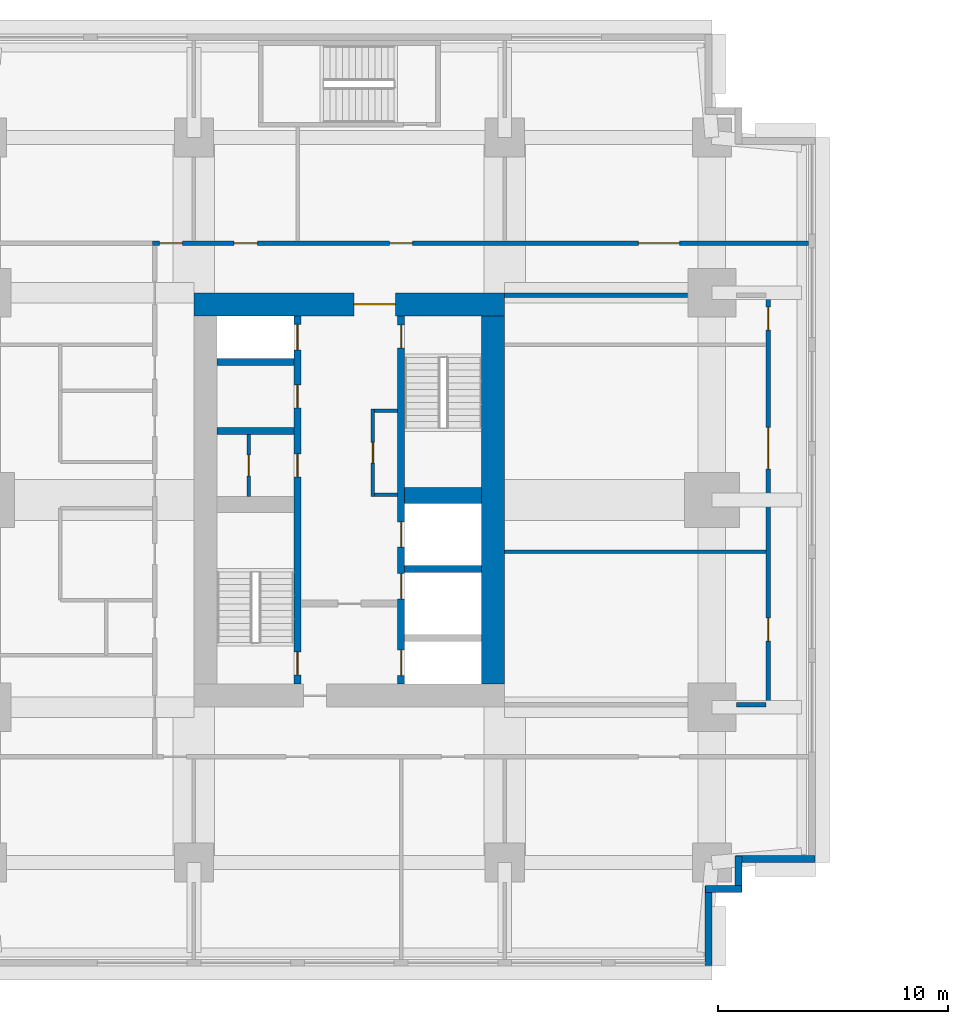
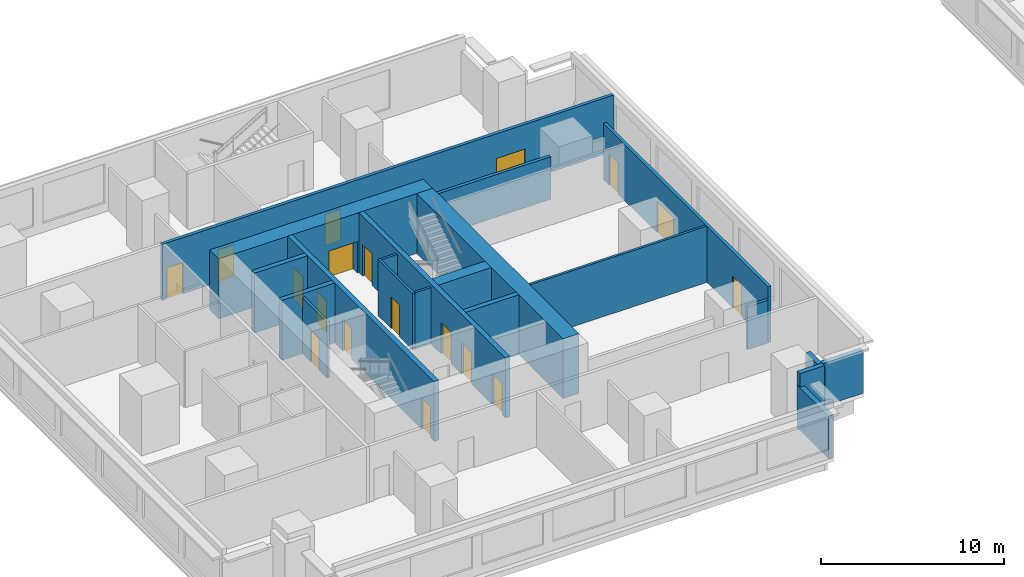
# One storey, part 4 of 10: 21 walls, 18 doors, 18 openings.
"""IFC4 building model written with IfcOpenShell, lengths in metres."""

from ifc_helpers import new_model, si_unit, direction, frame, frame_2d, origin, place, context, subcontext, project, spatial, rectangle, extrude, material, layer, layer_set, type_object, element, fill, save


model = new_model("IFC4")

# Units and contexts
model_context = context("Model", 3, precision=1e-05, world=origin(), true_north=direction((0.0, 1.0)))
body_context = subcontext(model_context, "Body", "Model", "MODEL_VIEW")
ifc_project = project(units=[si_unit("LENGTHUNIT", "METRE"), si_unit("AREAUNIT", "SQUARE_METRE"), si_unit("VOLUMEUNIT", "CUBIC_METRE"), si_unit("PLANEANGLEUNIT", "RADIAN"), si_unit("MASSUNIT", "GRAM", prefix="KILO")], contexts=[model_context])

# Site, building, storey
site_placement = place(None, origin())
site = spatial("IfcSite", under=ifc_project, at=site_placement, CompositionType="ELEMENT")
building_placement = place(site_placement, origin())
building = spatial("IfcBuilding", under=site, at=building_placement, Name="Namib Vertical Campus", CompositionType="ELEMENT")
storey_placement = place(building_placement, frame((0.0, 0.0, 145.0)))
storey = spatial("IfcBuildingStorey", under=building, at=storey_placement, Name="L34", CompositionType="ELEMENT", Elevation=145.0)

# Wall, openings, doors
ifc_material_1 = material(Name="Concrete C60/75", Category="concrete")
ifc_layer_1 = layer(ifc_material_1, 0.300048828125)
ifc_layer_set_1 = layer_set([ifc_layer_1], Name="Concrete C60/75")
wall_type_1 = type_object("IfcWallType", Name="Core inner wall 300", PredefinedType="SHEAR", material=ifc_layer_set_1)
wall_1_placement = place(storey_placement, frame((18.0, 12.25, 0.0), z_axis=(0.0, 0.0, 1.0), x_axis=(0.0, 1.0, 0.0)))
wall_1 = element("IfcWall", 1, at=wall_1_placement, inside=storey, type_object=wall_type_1, Name="Core inner wall A L34 W1", PredefinedType="SHEAR", context=body_context, shape_type="SweptSolid", body=[
    extrude(rectangle(XDim=16.0, YDim=0.300048828125, at=frame_2d((8.0, 0.0))), origin(), (0.0, 0.0, 1.0), 4.0),
])
opening_1_placement = place(wall_1_placement, frame((0.39990234375, 0.0, 0.0)))
opening_1 = element("IfcOpeningElement", 2, at=opening_1_placement, cuts=wall_1, Name="Opening FD1", PredefinedType="OPENING", context=body_context, shape_type="SweptSolid", body=[
    extrude(rectangle(XDim=1.0, YDim=2.10009765625, at=frame_2d((0.5, 1.050048828125))), frame((0.0, 0.159912109375, 0.0), z_axis=(0.0, -1.0, 0.0), x_axis=(1.0, 0.0, 0.0)), (0.0, 0.0, 1.0), 0.320068359375),
])
opening_2_placement = place(wall_1_placement, frame((14.52490234375, 0.0, 0.0)))
opening_2 = element("IfcOpeningElement", 3, at=opening_2_placement, cuts=wall_1, Name="Opening LD1", PredefinedType="OPENING", context=body_context, shape_type="SweptSolid", body=[
    extrude(rectangle(XDim=1.10009765625, YDim=2.10009765625, at=frame_2d((0.550048828125, 1.050048828125))), frame((0.0, 0.159912109375, 0.0), z_axis=(0.0, -1.0, 0.0), x_axis=(1.0, 0.0, 0.0)), (0.0, 0.0, 1.0), 0.320068359375),
])
opening_3_placement = place(wall_1_placement, frame((9.0, 0.0, 0.0)))
opening_3 = element("IfcOpeningElement", 4, at=opening_3_placement, cuts=wall_1, Name="Opening D1", PredefinedType="OPENING", context=body_context, shape_type="SweptSolid", body=[
    extrude(rectangle(XDim=1.0, YDim=2.10009765625, at=frame_2d((0.5, 1.050048828125))), frame((0.0, 0.159912109375, 0.0), z_axis=(0.0, -1.0, 0.0), x_axis=(1.0, 0.0, 0.0)), (0.0, 0.0, 1.0), 0.320068359375),
])
opening_4_placement = place(wall_1_placement, frame((12.0, 0.0, 0.0)))
opening_4 = element("IfcOpeningElement", 5, at=opening_4_placement, cuts=wall_1, Name="Opening D1", PredefinedType="OPENING", context=body_context, shape_type="SweptSolid", body=[
    extrude(rectangle(XDim=1.0, YDim=2.10009765625, at=frame_2d((0.5, 1.050048828125))), frame((0.0, 0.159912109375, 0.0), z_axis=(0.0, -1.0, 0.0), x_axis=(1.0, 0.0, 0.0)), (0.0, 0.0, 1.0), 0.320068359375),
])
ifc_material_2 = material(Name="Timber door leaf", Category="wood")
door_type_1 = type_object("IfcDoorType", Name="Door single 1000x2100", OperationType="SINGLE_SWING_LEFT", PredefinedType="DOOR", material=ifc_material_2)
door_1_placement = place(opening_3_placement, origin())
door_1 = element("IfcDoor", 6, at=door_1_placement, inside=storey, type_object=door_type_1, Name="Door D1 Records store A L34 P1", OperationType="SINGLE_SWING_LEFT", OverallHeight=2.10009765625, OverallWidth=1.0, PredefinedType="DOOR", context=body_context, shape_type="SweptSolid", body=[
    extrude(rectangle(XDim=1.0, YDim=2.10009765625, at=frame_2d((0.5, 1.050048828125))), frame((0.0, 0.02490234375, 0.0), z_axis=(0.0, -1.0, 0.0), x_axis=(1.0, 0.0, 0.0)), (0.0, 0.0, 1.0), 0.050048828125),
])
fill(opening_3, door_1)
door_2_placement = place(opening_4_placement, origin())
door_2 = element("IfcDoor", 7, at=door_2_placement, inside=storey, type_object=door_type_1, Name="Door D1 Staff pantry A L34 P2", OperationType="SINGLE_SWING_LEFT", OverallHeight=2.10009765625, OverallWidth=1.0, PredefinedType="DOOR", context=body_context, shape_type="SweptSolid", body=[
    extrude(rectangle(XDim=1.0, YDim=2.10009765625, at=frame_2d((0.5, 1.050048828125))), frame((0.0, 0.02490234375, 0.0), z_axis=(0.0, -1.0, 0.0), x_axis=(1.0, 0.0, 0.0)), (0.0, 0.0, 1.0), 0.050048828125),
])
fill(opening_4, door_2)
ifc_material_3 = material(Name="Steel fire door", Category="steel")
door_type_2 = type_object("IfcDoorType", Name="Fire door 1000x2100", OperationType="SINGLE_SWING_RIGHT", PredefinedType="DOOR", material=ifc_material_3)
door_3_placement = place(opening_1_placement, origin())
door_3 = element("IfcDoor", 8, at=door_3_placement, inside=storey, type_object=door_type_2, Name="Stair door FD1 A L34 S1", OperationType="SINGLE_SWING_LEFT", OverallHeight=2.10009765625, OverallWidth=1.0, PredefinedType="DOOR", context=body_context, shape_type="SweptSolid", body=[
    extrude(rectangle(XDim=1.0, YDim=2.10009765625, at=frame_2d((0.5, 1.050048828125))), frame((0.0, 0.02490234375, 0.0), z_axis=(0.0, -1.0, 0.0), x_axis=(1.0, 0.0, 0.0)), (0.0, 0.0, 1.0), 0.050048828125),
])
fill(opening_1, door_3)
ifc_material_4 = material(Name="Stainless steel lift door", Category="steel")
door_type_3 = type_object("IfcDoorType", Name="Lift landing door 1100x2100", OperationType="DOUBLE_DOOR_SLIDING", PredefinedType="DOOR", material=ifc_material_4)
door_4_placement = place(opening_2_placement, origin())
door_4 = element("IfcDoor", 9, at=door_4_placement, inside=storey, type_object=door_type_3, Name="Lift landing door LD1 A-P3 L34", OperationType="DOUBLE_DOOR_SLIDING", OverallHeight=2.10009765625, OverallWidth=1.10009765625, PredefinedType="DOOR", context=body_context, shape_type="SweptSolid", body=[
    extrude(rectangle(XDim=1.10009765625, YDim=2.10009765625, at=frame_2d((0.550048828125, 1.050048828125))), frame((0.0, 0.02490234375, 0.0), z_axis=(0.0, -1.0, 0.0), x_axis=(1.0, 0.0, 0.0)), (0.0, 0.0, 1.0), 0.050048828125),
])
fill(opening_2, door_4)

wall_2_placement = place(storey_placement, frame((22.5, 12.25, 0.0), z_axis=(0.0, 0.0, 1.0), x_axis=(0.0, 1.0, 0.0)))
wall_2 = element("IfcWall", 10, at=wall_2_placement, inside=storey, type_object=wall_type_1, Name="Core inner wall A L34 W2", PredefinedType="SHEAR", context=body_context, shape_type="SweptSolid", body=[
    extrude(rectangle(XDim=16.0, YDim=0.300048828125, at=frame_2d((8.0, 0.0))), origin(), (0.0, 0.0, 1.0), 4.0),
])
opening_5_placement = place(wall_2_placement, frame((14.60009765625, 0.0, 0.0)))
opening_5 = element("IfcOpeningElement", 11, at=opening_5_placement, cuts=wall_2, Name="Opening FD1", PredefinedType="OPENING", context=body_context, shape_type="SweptSolid", body=[
    extrude(rectangle(XDim=1.0, YDim=2.10009765625, at=frame_2d((0.5, 1.050048828125))), frame((0.0, 0.159912109375, 0.0), z_axis=(0.0, -1.0, 0.0), x_axis=(1.0, 0.0, 0.0)), (0.0, 0.0, 1.0), 0.320068359375),
])
opening_6_placement = place(wall_2_placement, frame((0.375, 0.0, 0.0)))
opening_6 = element("IfcOpeningElement", 12, at=opening_6_placement, cuts=wall_2, Name="Opening LD1", PredefinedType="OPENING", context=body_context, shape_type="SweptSolid", body=[
    extrude(rectangle(XDim=1.10009765625, YDim=2.10009765625, at=frame_2d((0.550048828125, 1.050048828125))), frame((0.0, 0.159912109375, 0.0), z_axis=(0.0, -1.0, 0.0), x_axis=(1.0, 0.0, 0.0)), (0.0, 0.0, 1.0), 0.320068359375),
])
opening_7_placement = place(wall_2_placement, frame((3.699951171875, 0.0, 0.0)))
opening_7 = element("IfcOpeningElement", 13, at=opening_7_placement, cuts=wall_2, Name="Opening LD1", PredefinedType="OPENING", context=body_context, shape_type="SweptSolid", body=[
    extrude(rectangle(XDim=1.10009765625, YDim=2.10009765625, at=frame_2d((0.550048828125, 1.050048828125))), frame((0.0, 0.159912109375, 0.0), z_axis=(0.0, -1.0, 0.0), x_axis=(1.0, 0.0, 0.0)), (0.0, 0.0, 1.0), 0.320068359375),
])
opening_8_placement = place(wall_2_placement, frame((5.949951171875, 0.0, 0.0)))
opening_8 = element("IfcOpeningElement", 14, at=opening_8_placement, cuts=wall_2, Name="Opening LD1", PredefinedType="OPENING", context=body_context, shape_type="SweptSolid", body=[
    extrude(rectangle(XDim=1.10009765625, YDim=2.10009765625, at=frame_2d((0.550048828125, 1.050048828125))), frame((0.0, 0.159912109375, 0.0), z_axis=(0.0, -1.0, 0.0), x_axis=(1.0, 0.0, 0.0)), (0.0, 0.0, 1.0), 0.320068359375),
])
door_5_placement = place(opening_5_placement, frame((1.0, 0.0, 0.0), z_axis=(0.0, 0.0, 1.0), x_axis=(-1.0, 0.0, 0.0)))
door_5 = element("IfcDoor", 15, at=door_5_placement, inside=storey, type_object=door_type_2, Name="Stair door FD1 A L34 S2", OperationType="SINGLE_SWING_LEFT", OverallHeight=2.10009765625, OverallWidth=1.0, PredefinedType="DOOR", context=body_context, shape_type="SweptSolid", body=[
    extrude(rectangle(XDim=1.0, YDim=2.10009765625, at=frame_2d((0.5, 1.050048828125))), frame((0.0, 0.02490234375, 0.0), z_axis=(0.0, -1.0, 0.0), x_axis=(1.0, 0.0, 0.0)), (0.0, 0.0, 1.0), 0.050048828125),
])
fill(opening_5, door_5)
door_6_placement = place(opening_6_placement, origin())
door_6 = element("IfcDoor", 16, at=door_6_placement, inside=storey, type_object=door_type_3, Name="Lift landing door LD1 A-FL1 L34", OperationType="DOUBLE_DOOR_SLIDING", OverallHeight=2.10009765625, OverallWidth=1.10009765625, PredefinedType="DOOR", context=body_context, shape_type="SweptSolid", body=[
    extrude(rectangle(XDim=1.10009765625, YDim=2.10009765625, at=frame_2d((0.550048828125, 1.050048828125))), frame((0.0, 0.02490234375, 0.0), z_axis=(0.0, -1.0, 0.0), x_axis=(1.0, 0.0, 0.0)), (0.0, 0.0, 1.0), 0.050048828125),
])
fill(opening_6, door_6)
door_7_placement = place(opening_7_placement, origin())
door_7 = element("IfcDoor", 17, at=door_7_placement, inside=storey, type_object=door_type_3, Name="Lift landing door LD1 A-P4 L34", OperationType="DOUBLE_DOOR_SLIDING", OverallHeight=2.10009765625, OverallWidth=1.10009765625, PredefinedType="DOOR", context=body_context, shape_type="SweptSolid", body=[
    extrude(rectangle(XDim=1.10009765625, YDim=2.10009765625, at=frame_2d((0.550048828125, 1.050048828125))), frame((0.0, 0.02490234375, 0.0), z_axis=(0.0, -1.0, 0.0), x_axis=(1.0, 0.0, 0.0)), (0.0, 0.0, 1.0), 0.050048828125),
])
fill(opening_7, door_7)
door_8_placement = place(opening_8_placement, origin())
door_8 = element("IfcDoor", 18, at=door_8_placement, inside=storey, type_object=door_type_3, Name="Lift landing door LD1 A-P5 L34", OperationType="DOUBLE_DOOR_SLIDING", OverallHeight=2.10009765625, OverallWidth=1.10009765625, PredefinedType="DOOR", context=body_context, shape_type="SweptSolid", body=[
    extrude(rectangle(XDim=1.10009765625, YDim=2.10009765625, at=frame_2d((0.550048828125, 1.050048828125))), frame((0.0, 0.02490234375, 0.0), z_axis=(0.0, -1.0, 0.0), x_axis=(1.0, 0.0, 0.0)), (0.0, 0.0, 1.0), 0.050048828125),
])
fill(opening_8, door_8)

# Walls
for number, where, z_axis, x_axis, name in (
    (19, (22.64990234375, 17.25, 0.0), (0.0, 0.0, 1.0), (1.0, 0.0, 0.0), "Core inner wall A L34 W6"),
    (20, (14.5, 23.25, 0.0), (0.0, 0.0, 1.0), (1.0, 0.0, 0.0), "Core inner wall A L34 W8"),
    (21, (14.5, 26.25, 0.0), (0.0, 0.0, 1.0), (1.0, 0.0, 0.0), "Core inner wall A L34 W9"),
):
    element("IfcWall", number, at=place(storey_placement, frame(where, z_axis=z_axis, x_axis=x_axis)), inside=storey, type_object=wall_type_1, Name=name, PredefinedType="SHEAR", context=body_context, shape_type="SweptSolid", body=[
        extrude(rectangle(XDim=3.35009765625, YDim=0.300048828125, at=frame_2d((1.675048828125, 0.0))), origin(), (0.0, 0.0, 1.0), 4.0),
    ])
ifc_material_5 = material(Name="Concrete C60/75", Category="concrete")
ifc_layer_2 = layer(ifc_material_5, 0.699951171875)
ifc_layer_set_2 = layer_set([ifc_layer_2], Name="Concrete C60/75")
wall_type_2 = type_object("IfcWallType", Name="Core shear wall 700", PredefinedType="SHEAR", material=ifc_layer_set_2)
wall_3_placement = place(storey_placement, frame((22.64990234375, 20.449951171875, 0.0), z_axis=(0.0, 0.0, 1.0), x_axis=(1.0, 0.0, 0.0)))
element("IfcWall", 22, at=wall_3_placement, inside=storey, type_object=wall_type_2, Name="Core shear wall A L34 W7", PredefinedType="SHEAR", context=body_context, shape_type="SweptSolid", body=[
    extrude(rectangle(XDim=3.35009765625, YDim=0.699951171875, at=frame_2d((1.675048828125, 0.0))), origin(), (0.0, 0.0, 1.0), 4.0),
])
ifc_material_6 = material(Name="Concrete C60/75", Category="concrete")
ifc_layer_3 = layer(ifc_material_6, 1.0)
ifc_layer_set_3 = layer_set([ifc_layer_3], Name="Concrete C60/75")
wall_type_3 = type_object("IfcWallType", Name="Core wall 1000", PredefinedType="SHEAR", material=ifc_layer_set_3)
wall_4_placement = place(storey_placement, frame((26.5, 12.25, 0.0), z_axis=(0.0, 0.0, 1.0), x_axis=(0.0, 1.0, 0.0)))
element("IfcWall", 23, at=wall_4_placement, inside=storey, type_object=wall_type_3, Name="Core wall A L34 2", PredefinedType="SHEAR", context=body_context, shape_type="SweptSolid", body=[
    extrude(rectangle(XDim=16.0, YDim=1.0, at=frame_2d((8.0, 0.0))), origin(), (0.0, 0.0, 1.0), 4.0),
])

# Wall, opening, door
wall_5_placement = place(storey_placement, frame((27.0, 28.75, 0.0), z_axis=(0.0, 0.0, 1.0), x_axis=(-1.0, 0.0, 0.0)))
wall_5 = element("IfcWall", 24, at=wall_5_placement, inside=storey, type_object=wall_type_3, Name="Core wall A L34 3", PredefinedType="SHEAR", context=body_context, shape_type="SweptSolid", body=[
    extrude(rectangle(XDim=13.5, YDim=1.0, at=frame_2d((6.75, 0.0))), origin(), (0.0, 0.0, 1.0), 4.0),
])
opening_9_placement = place(wall_5_placement, frame((4.75, 0.0, 0.0)))
opening_9 = element("IfcOpeningElement", 25, at=opening_9_placement, cuts=wall_5, Name="Opening FD2", PredefinedType="OPENING", context=body_context, shape_type="SweptSolid", body=[
    extrude(rectangle(XDim=1.800048828125, YDim=2.10009765625, at=frame_2d((0.89990234375, 1.050048828125))), frame((0.0, 0.510009765625, 0.0), z_axis=(0.0, -1.0, 0.0), x_axis=(1.0, 0.0, 0.0)), (0.0, 0.0, 1.0), 1.02001953125),
])
ifc_material_7 = material(Name="Steel fire door", Category="steel")
door_type_4 = type_object("IfcDoorType", Name="Fire door double 1800x2100", OperationType="DOUBLE_DOOR_SINGLE_SWING", PredefinedType="DOOR", material=ifc_material_7)
door_9_placement = place(opening_9_placement, origin())
door_9 = element("IfcDoor", 26, at=door_9_placement, inside=storey, type_object=door_type_4, Name="Lift lobby door FD2 A L34", OperationType="DOUBLE_DOOR_SINGLE_SWING", OverallHeight=2.10009765625, OverallWidth=1.800048828125, PredefinedType="DOOR", context=body_context, shape_type="SweptSolid", body=[
    extrude(rectangle(XDim=1.800048828125, YDim=2.10009765625, at=frame_2d((0.89990234375, 1.050048828125))), frame((0.0, 0.02490234375, 0.0), z_axis=(0.0, -1.0, 0.0), x_axis=(1.0, 0.0, 0.0)), (0.0, 0.0, 1.0), 0.050048828125),
])
fill(opening_9, door_9)

# Wall, openings, doors
ifc_material_8 = material(Name="Concrete masonry", Category="masonry")
ifc_layer_4 = layer(ifc_material_8, 0.199951171875)
ifc_layer_set_4 = layer_set([ifc_layer_4], Name="Corridor wall 200")
wall_type_4 = type_object("IfcWallType", Name="Corridor wall 200", PredefinedType="SOLIDWALL", material=ifc_layer_set_4)
wall_6_placement = place(storey_placement, frame((40.199951171875, 31.39990234375, 0.0), z_axis=(0.0, 0.0, 1.0), x_axis=(-1.0, 0.0, 0.0)))
wall_6 = element("IfcWall", 27, at=wall_6_placement, inside=storey, type_object=wall_type_4, Name="Corridor wall A L34 CN", PredefinedType="SOLIDWALL", context=body_context, shape_type="SweptSolid", body=[
    extrude(rectangle(XDim=28.5, YDim=0.199951171875, at=frame_2d((14.25, 0.0))), origin(), (0.0, 0.0, 1.0), 3.75),
])
opening_10_placement = place(wall_6_placement, frame((27.199951171875, 0.0, 0.0)))
opening_10 = element("IfcOpeningElement", 28, at=opening_10_placement, cuts=wall_6, Name="Opening CD1", PredefinedType="OPENING", context=body_context, shape_type="SweptSolid", body=[
    extrude(rectangle(XDim=1.0, YDim=2.10009765625, at=frame_2d((0.5, 1.050048828125))), frame((0.0, 0.10986328125, 0.0), z_axis=(0.0, -1.0, 0.0), x_axis=(1.0, 0.0, 0.0)), (0.0, 0.0, 1.0), 0.219970703125),
])
opening_11_placement = place(wall_6_placement, frame((23.949951171875, 0.0, 0.0)))
opening_11 = element("IfcOpeningElement", 29, at=opening_11_placement, cuts=wall_6, Name="Opening CD1", PredefinedType="OPENING", context=body_context, shape_type="SweptSolid", body=[
    extrude(rectangle(XDim=1.0, YDim=2.10009765625, at=frame_2d((0.5, 1.050048828125))), frame((0.0, 0.10986328125, 0.0), z_axis=(0.0, -1.0, 0.0), x_axis=(1.0, 0.0, 0.0)), (0.0, 0.0, 1.0), 0.219970703125),
])
opening_12_placement = place(wall_6_placement, frame((17.199951171875, 0.0, 0.0)))
opening_12 = element("IfcOpeningElement", 30, at=opening_12_placement, cuts=wall_6, Name="Opening CD4", PredefinedType="OPENING", context=body_context, shape_type="SweptSolid", body=[
    extrude(rectangle(XDim=1.0, YDim=2.10009765625, at=frame_2d((0.5, 1.050048828125))), frame((0.0, 0.10986328125, 0.0), z_axis=(0.0, -1.0, 0.0), x_axis=(1.0, 0.0, 0.0)), (0.0, 0.0, 1.0), 0.219970703125),
])
opening_13_placement = place(wall_6_placement, frame((5.60009765625, 0.0, 0.0)))
opening_13 = element("IfcOpeningElement", 31, at=opening_13_placement, cuts=wall_6, Name="Opening CD2", PredefinedType="OPENING", context=body_context, shape_type="SweptSolid", body=[
    extrude(rectangle(XDim=1.800048828125, YDim=2.10009765625, at=frame_2d((0.89990234375, 1.050048828125))), frame((0.0, 0.10986328125, 0.0), z_axis=(0.0, -1.0, 0.0), x_axis=(1.0, 0.0, 0.0)), (0.0, 0.0, 1.0), 0.219970703125),
])
ifc_material_9 = material(Name="Timber fire door leaf", Category="wood")
door_type_5 = type_object("IfcDoorType", Name="Corridor door 1000x2100 20 min", OperationType="SINGLE_SWING_LEFT", PredefinedType="DOOR", material=ifc_material_9)
door_10_placement = place(opening_10_placement, frame((1.0, 0.0, 0.0), z_axis=(0.0, 0.0, 1.0), x_axis=(-1.0, 0.0, 0.0)))
door_10 = element("IfcDoor", 32, at=door_10_placement, inside=storey, type_object=door_type_5, Name="Door CD1 A34-08", OperationType="SINGLE_SWING_RIGHT", OverallHeight=2.10009765625, OverallWidth=1.0, PredefinedType="DOOR", context=body_context, shape_type="SweptSolid", body=[
    extrude(rectangle(XDim=1.0, YDim=2.10009765625, at=frame_2d((0.5, 1.050048828125))), frame((0.0, 0.02490234375, 0.0), z_axis=(0.0, -1.0, 0.0), x_axis=(1.0, 0.0, 0.0)), (0.0, 0.0, 1.0), 0.050048828125),
])
fill(opening_10, door_10)
door_11_placement = place(opening_11_placement, frame((1.0, 0.0, 0.0), z_axis=(0.0, 0.0, 1.0), x_axis=(-1.0, 0.0, 0.0)))
door_11 = element("IfcDoor", 33, at=door_11_placement, inside=storey, type_object=door_type_5, Name="Door CD1 A34-09", OperationType="SINGLE_SWING_RIGHT", OverallHeight=2.10009765625, OverallWidth=1.0, PredefinedType="DOOR", context=body_context, shape_type="SweptSolid", body=[
    extrude(rectangle(XDim=1.0, YDim=2.10009765625, at=frame_2d((0.5, 1.050048828125))), frame((0.0, 0.02490234375, 0.0), z_axis=(0.0, -1.0, 0.0), x_axis=(1.0, 0.0, 0.0)), (0.0, 0.0, 1.0), 0.050048828125),
])
fill(opening_11, door_11)
ifc_material_10 = material(Name="Timber fire door leaf", Category="wood")
door_type_6 = type_object("IfcDoorType", Name="Corridor door 1000x2100 20 min double-acting", OperationType="DOUBLE_SWING_LEFT", PredefinedType="DOOR", material=ifc_material_10)
door_12_placement = place(opening_12_placement, origin())
door_12 = element("IfcDoor", 34, at=door_12_placement, inside=storey, type_object=door_type_6, Name="Door CD4 A34-10", OperationType="DOUBLE_SWING_LEFT", OverallHeight=2.10009765625, OverallWidth=1.0, PredefinedType="DOOR", context=body_context, shape_type="SweptSolid", body=[
    extrude(rectangle(XDim=1.0, YDim=2.10009765625, at=frame_2d((0.5, 1.050048828125))), frame((0.0, 0.02490234375, 0.0), z_axis=(0.0, -1.0, 0.0), x_axis=(1.0, 0.0, 0.0)), (0.0, 0.0, 1.0), 0.050048828125),
])
fill(opening_12, door_12)
ifc_material_11 = material(Name="Timber fire door leaf", Category="wood")
door_type_7 = type_object("IfcDoorType", Name="Corridor door double 1800x2100 20 min", OperationType="DOUBLE_DOOR_SINGLE_SWING", PredefinedType="DOOR", material=ifc_material_11)
door_13_placement = place(opening_13_placement, frame((1.800048828125, 0.0, 0.0), z_axis=(0.0, 0.0, 1.0), x_axis=(-1.0, 0.0, 0.0)))
door_13 = element("IfcDoor", 35, at=door_13_placement, inside=storey, type_object=door_type_7, Name="Door CD2 A34-11", OperationType="DOUBLE_DOOR_SINGLE_SWING", OverallHeight=2.10009765625, OverallWidth=1.800048828125, PredefinedType="DOOR", context=body_context, shape_type="SweptSolid", body=[
    extrude(rectangle(XDim=1.800048828125, YDim=2.10009765625, at=frame_2d((0.89990234375, 1.050048828125))), frame((0.0, 0.02490234375, 0.0), z_axis=(0.0, -1.0, 0.0), x_axis=(1.0, 0.0, 0.0)), (0.0, 0.0, 1.0), 0.050048828125),
])
fill(opening_13, door_13)

wall_7_placement = place(storey_placement, frame((38.449951171875, 11.25, 0.0), z_axis=(0.0, 0.0, 1.0), x_axis=(0.0, 1.0, 0.0)))
wall_7 = element("IfcWall", 36, at=wall_7_placement, inside=storey, type_object=wall_type_4, Name="Corridor wall A L34 CG", PredefinedType="SOLIDWALL", context=body_context, shape_type="SweptSolid", body=[
    extrude(rectangle(XDim=18.0, YDim=0.199951171875, at=frame_2d((9.0, 0.0))), origin(), (0.0, 0.0, 1.0), 3.75),
])
opening_14_placement = place(wall_7_placement, frame((2.875, 0.0, 0.0)))
opening_14 = element("IfcOpeningElement", 37, at=opening_14_placement, cuts=wall_7, Name="Opening CD1", PredefinedType="OPENING", context=body_context, shape_type="SweptSolid", body=[
    extrude(rectangle(XDim=1.0, YDim=2.10009765625, at=frame_2d((0.5, 1.050048828125))), frame((0.0, 0.10986328125, 0.0), z_axis=(0.0, -1.0, 0.0), x_axis=(1.0, 0.0, 0.0)), (0.0, 0.0, 1.0), 0.219970703125),
])
opening_15_placement = place(wall_7_placement, frame((10.35009765625, 0.0, 0.0)))
opening_15 = element("IfcOpeningElement", 38, at=opening_15_placement, cuts=wall_7, Name="Opening CD2", PredefinedType="OPENING", context=body_context, shape_type="SweptSolid", body=[
    extrude(rectangle(XDim=1.800048828125, YDim=2.10009765625, at=frame_2d((0.89990234375, 1.050048828125))), frame((0.0, 0.10986328125, 0.0), z_axis=(0.0, -1.0, 0.0), x_axis=(1.0, 0.0, 0.0)), (0.0, 0.0, 1.0), 0.219970703125),
])
opening_16_placement = place(wall_7_placement, frame((16.375, 0.0, 0.0)))
opening_16 = element("IfcOpeningElement", 39, at=opening_16_placement, cuts=wall_7, Name="Opening CD1", PredefinedType="OPENING", context=body_context, shape_type="SweptSolid", body=[
    extrude(rectangle(XDim=1.0, YDim=2.10009765625, at=frame_2d((0.5, 1.050048828125))), frame((0.0, 0.10986328125, 0.0), z_axis=(0.0, -1.0, 0.0), x_axis=(1.0, 0.0, 0.0)), (0.0, 0.0, 1.0), 0.219970703125),
])
door_14_placement = place(opening_14_placement, origin())
door_14 = element("IfcDoor", 40, at=door_14_placement, inside=storey, type_object=door_type_5, Name="Door CD1 A34-05", OperationType="SINGLE_SWING_LEFT", OverallHeight=2.10009765625, OverallWidth=1.0, PredefinedType="DOOR", context=body_context, shape_type="SweptSolid", body=[
    extrude(rectangle(XDim=1.0, YDim=2.10009765625, at=frame_2d((0.5, 1.050048828125))), frame((0.0, 0.02490234375, 0.0), z_axis=(0.0, -1.0, 0.0), x_axis=(1.0, 0.0, 0.0)), (0.0, 0.0, 1.0), 0.050048828125),
])
fill(opening_14, door_14)
door_15_placement = place(opening_16_placement, origin())
door_15 = element("IfcDoor", 41, at=door_15_placement, inside=storey, type_object=door_type_5, Name="Door CD1 A34-07", OperationType="SINGLE_SWING_LEFT", OverallHeight=2.10009765625, OverallWidth=1.0, PredefinedType="DOOR", context=body_context, shape_type="SweptSolid", body=[
    extrude(rectangle(XDim=1.0, YDim=2.10009765625, at=frame_2d((0.5, 1.050048828125))), frame((0.0, 0.02490234375, 0.0), z_axis=(0.0, -1.0, 0.0), x_axis=(1.0, 0.0, 0.0)), (0.0, 0.0, 1.0), 0.050048828125),
])
fill(opening_16, door_15)
door_16_placement = place(opening_15_placement, origin())
door_16 = element("IfcDoor", 42, at=door_16_placement, inside=storey, type_object=door_type_7, Name="Door CD2 A34-06", OperationType="DOUBLE_DOOR_SINGLE_SWING", OverallHeight=2.10009765625, OverallWidth=1.800048828125, PredefinedType="DOOR", context=body_context, shape_type="SweptSolid", body=[
    extrude(rectangle(XDim=1.800048828125, YDim=2.10009765625, at=frame_2d((0.89990234375, 1.050048828125))), frame((0.0, 0.02490234375, 0.0), z_axis=(0.0, -1.0, 0.0), x_axis=(1.0, 0.0, 0.0)), (0.0, 0.0, 1.0), 0.050048828125),
])
fill(opening_15, door_16)

# Walls
wall_8_placement = place(storey_placement, frame((37.070068359375, 11.35009765625, 0.0), z_axis=(0.0, 0.0, 1.0), x_axis=(1.0, 0.0, 0.0)))
element("IfcWall", 43, at=wall_8_placement, inside=storey, type_object=wall_type_4, Name="Corridor wall A L34 GS", PredefinedType="SOLIDWALL", context=body_context, shape_type="SweptSolid", body=[
    extrude(rectangle(XDim=1.280029296875, YDim=0.199951171875, at=frame_2d((0.64013671875, 0.0))), origin(), (0.0, 0.0, 1.0), 2.85009765625),
])
wall_9_placement = place(storey_placement, frame((27.0, 29.14990234375, 0.0), z_axis=(0.0, 0.0, 1.0), x_axis=(1.0, 0.0, 0.0)))
element("IfcWall", 44, at=wall_9_placement, inside=storey, type_object=wall_type_4, Name="Corridor wall A L34 GN", PredefinedType="SOLIDWALL", context=body_context, shape_type="SweptSolid", body=[
    extrude(rectangle(XDim=7.929931640625, YDim=0.199951171875, at=frame_2d((3.96484375, 0.0))), origin(), (0.0, 0.0, 1.0), 2.85009765625),
])
ifc_material_12 = material(Name="Concrete C40/50", Category="concrete")
ifc_layer_5 = layer(ifc_material_12, 0.300048828125)
ifc_layer_set_5 = layer_set([ifc_layer_5], Name="Concrete C40/50")
wall_type_5 = type_object("IfcWallType", Name="External wall 300 board-marked concrete", PredefinedType="STANDARD", material=ifc_layer_set_5)
wall_10_placement = place(storey_placement, frame((35.85009765625, 0.02001953125, 0.0), z_axis=(0.0, 0.0, 1.0), x_axis=(0.0, 1.0, 0.0)))
element("IfcWall", 45, at=wall_10_placement, inside=storey, type_object=wall_type_5, Name="External wall L34 F02", PredefinedType="STANDARD", context=body_context, shape_type="SweptSolid", body=[
    extrude(rectangle(XDim=3.4599609375, YDim=0.300048828125, at=frame_2d((1.72998046875, 0.0))), origin(), (0.0, 0.0, 1.0), 2.85009765625),
])
for number, where, z_axis, x_axis, name in (
    (46, (35.719970703125, 3.35009765625, 0.0), (0.0, 0.0, 1.0), (1.0, 0.0, 0.0), "External wall L34 F03"),
    (47, (37.14990234375, 3.219970703125, 0.0), (0.0, 0.0, 1.0), (0.0, 1.0, 0.0), "External wall L34 F04"),
):
    element("IfcWall", number, at=place(storey_placement, frame(where, z_axis=z_axis, x_axis=x_axis)), inside=storey, type_object=wall_type_5, Name=name, PredefinedType="STANDARD", context=body_context, shape_type="SweptSolid", body=[
        extrude(rectangle(XDim=1.56005859375, YDim=0.300048828125, at=frame_2d((0.780029296875, 0.0))), origin(), (0.0, 0.0, 1.0), 3.75),
    ])
wall_11_placement = place(storey_placement, frame((37.02001953125, 4.64990234375, 0.0), z_axis=(0.0, 0.0, 1.0), x_axis=(1.0, 0.0, 0.0)))
element("IfcWall", 48, at=wall_11_placement, inside=storey, type_object=wall_type_5, Name="External wall L34 F05", PredefinedType="STANDARD", context=body_context, shape_type="SweptSolid", body=[
    extrude(rectangle(XDim=3.4599609375, YDim=0.300048828125, at=frame_2d((1.72998046875, 0.0))), origin(), (0.0, 0.0, 1.0), 2.85009765625),
])

# Wall, opening, door
ifc_material_13 = material(Name="Gypsum board on steel studs", Category="steel")
ifc_layer_6 = layer(ifc_material_13, 0.14990234375)
ifc_layer_set_6 = layer_set([ifc_layer_6], Name="Gypsum board on steel studs")
wall_type_6 = type_object("IfcWallType", Name="Partition 150", PredefinedType="PARTITIONING", material=ifc_layer_set_6)
wall_12_placement = place(storey_placement, frame((21.27490234375, 20.39990234375, 0.0), z_axis=(0.0, 0.0, 1.0), x_axis=(0.0, 1.0, 0.0)))
wall_12 = element("IfcWall", 49, at=wall_12_placement, inside=storey, type_object=wall_type_6, Name="Partition A L34 Linen store front", PredefinedType="PARTITIONING", context=body_context, shape_type="SweptSolid", body=[
    extrude(rectangle(XDim=3.800048828125, YDim=0.14990234375, at=frame_2d((1.89990234375, 0.0))), origin(), (0.0, 0.0, 1.0), 3.75),
])
opening_17_placement = place(wall_12_placement, frame((1.449951171875, 0.0, 0.0)))
opening_17 = element("IfcOpeningElement", 50, at=opening_17_placement, cuts=wall_12, Name="Opening D3", PredefinedType="OPENING", context=body_context, shape_type="SweptSolid", body=[
    extrude(rectangle(XDim=0.89990234375, YDim=2.10009765625, at=frame_2d((0.449951171875, 1.050048828125))), frame((0.0, 0.0849609375, 0.0), z_axis=(0.0, -1.0, 0.0), x_axis=(1.0, 0.0, 0.0)), (0.0, 0.0, 1.0), 0.169921875),
])
ifc_material_14 = material(Name="Timber door leaf", Category="wood")
door_type_8 = type_object("IfcDoorType", Name="Toilet door 900x2100", OperationType="SINGLE_SWING_LEFT", PredefinedType="DOOR", material=ifc_material_14)
door_17_placement = place(opening_17_placement, frame((0.89990234375, 0.0, 0.0), z_axis=(0.0, 0.0, 1.0), x_axis=(-1.0, 0.0, 0.0)))
door_17 = element("IfcDoor", 51, at=door_17_placement, inside=storey, type_object=door_type_8, Name="Door D3 Linen store A L34", OperationType="SINGLE_SWING_RIGHT", OverallHeight=2.10009765625, OverallWidth=0.89990234375, PredefinedType="DOOR", context=body_context, shape_type="SweptSolid", body=[
    extrude(rectangle(XDim=0.89990234375, YDim=2.10009765625, at=frame_2d((0.449951171875, 1.050048828125))), frame((0.0, 0.02490234375, 0.0), z_axis=(0.0, -1.0, 0.0), x_axis=(1.0, 0.0, 0.0)), (0.0, 0.0, 1.0), 0.050048828125),
])
fill(opening_17, door_17)

# Walls
for number, where, z_axis, x_axis, name in (
    (52, (21.35009765625, 20.47509765625, 0.0), (0.0, 0.0, 1.0), (1.0, 0.0, 0.0), "Partition A L34 Linen store end 1"),
    (53, (21.35009765625, 24.125, 0.0), (0.0, 0.0, 1.0), (1.0, 0.0, 0.0), "Partition A L34 Linen store end 2"),
):
    element("IfcWall", number, at=place(storey_placement, frame(where, z_axis=z_axis, x_axis=x_axis)), inside=storey, type_object=wall_type_6, Name=name, PredefinedType="PARTITIONING", context=body_context, shape_type="SweptSolid", body=[
        extrude(rectangle(XDim=1.0, YDim=0.14990234375, at=frame_2d((0.5, 0.0))), origin(), (0.0, 0.0, 1.0), 3.75),
    ])

# Wall, opening, door
wall_13_placement = place(storey_placement, frame((15.875, 20.39990234375, 0.0), z_axis=(0.0, 0.0, 1.0), x_axis=(0.0, 1.0, 0.0)))
wall_13 = element("IfcWall", 54, at=wall_13_placement, inside=storey, type_object=wall_type_6, Name="Partition A L34 Records store P1 back", PredefinedType="PARTITIONING", context=body_context, shape_type="SweptSolid", body=[
    extrude(rectangle(XDim=2.7001953125, YDim=0.14990234375, at=frame_2d((1.35009765625, 0.0))), origin(), (0.0, 0.0, 1.0), 3.75),
])
opening_18_placement = place(wall_13_placement, frame((0.89990234375, 0.0, 0.0)))
opening_18 = element("IfcOpeningElement", 55, at=opening_18_placement, cuts=wall_13, Name="Opening D3", PredefinedType="OPENING", context=body_context, shape_type="SweptSolid", body=[
    extrude(rectangle(XDim=0.89990234375, YDim=2.10009765625, at=frame_2d((0.449951171875, 1.050048828125))), frame((0.0, 0.0849609375, 0.0), z_axis=(0.0, -1.0, 0.0), x_axis=(1.0, 0.0, 0.0)), (0.0, 0.0, 1.0), 0.169921875),
])
door_18_placement = place(opening_18_placement, origin())
door_18 = element("IfcDoor", 56, at=door_18_placement, inside=storey, type_object=door_type_8, Name="Door D3 Store A L34 P1", OperationType="SINGLE_SWING_LEFT", OverallHeight=2.10009765625, OverallWidth=0.89990234375, PredefinedType="DOOR", context=body_context, shape_type="SweptSolid", body=[
    extrude(rectangle(XDim=0.89990234375, YDim=2.10009765625, at=frame_2d((0.449951171875, 1.050048828125))), frame((0.0, 0.02490234375, 0.0), z_axis=(0.0, -1.0, 0.0), x_axis=(1.0, 0.0, 0.0)), (0.0, 0.0, 1.0), 0.050048828125),
])
fill(opening_18, door_18)

# Wall
wall_14_placement = place(storey_placement, frame((27.0, 18.0, 0.0), z_axis=(0.0, 0.0, 1.0), x_axis=(1.0, 0.0, 0.0)))
element("IfcWall", 57, at=wall_14_placement, inside=storey, type_object=wall_type_6, Name="Partition A L34 PE1", PredefinedType="PARTITIONING", context=body_context, shape_type="SweptSolid", body=[
    extrude(rectangle(XDim=11.35009765625, YDim=0.14990234375, at=frame_2d((5.675048828125, 0.0))), origin(), (0.0, 0.0, 1.0), 3.75),
])

save(model, "model.ifc")
